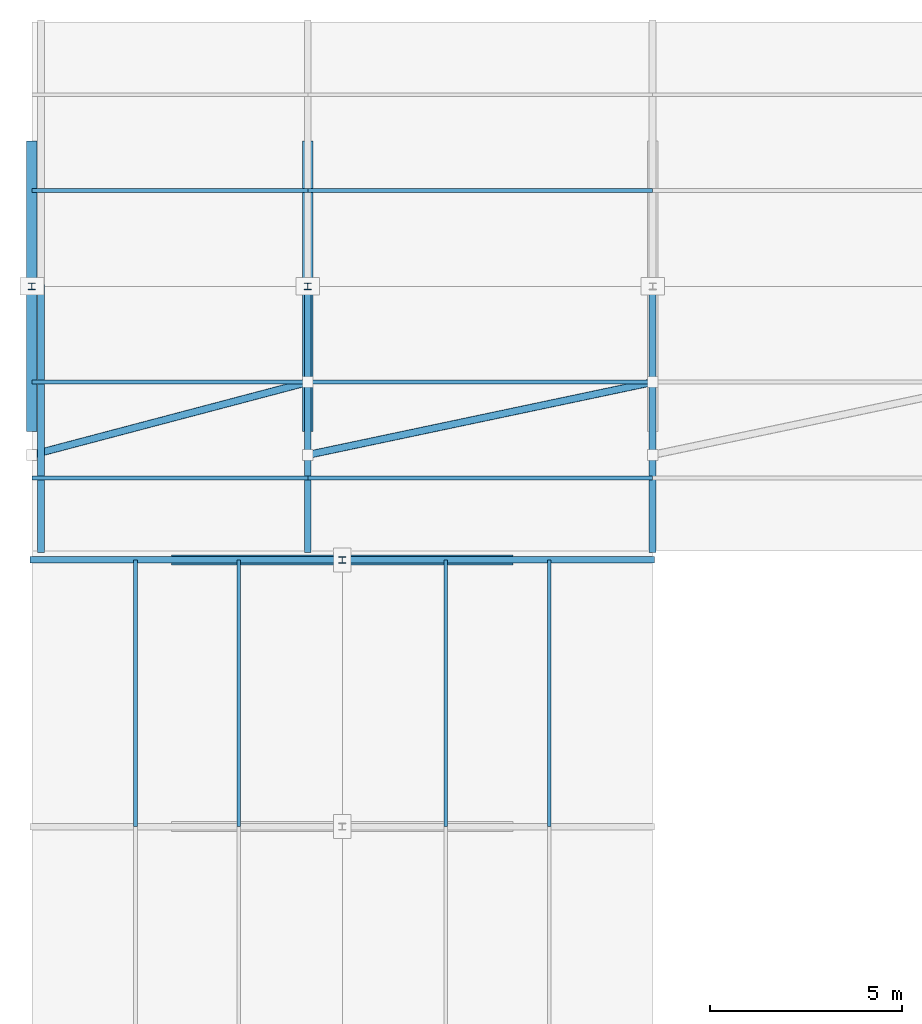
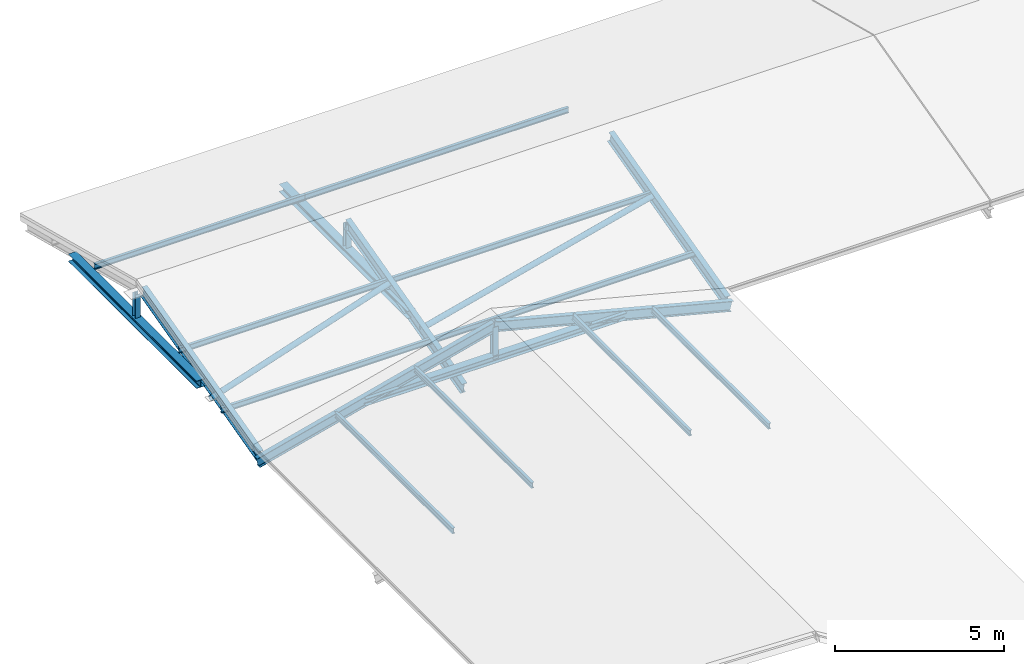
# One storey, part 12 of 31: 23 members.
"""IFC4 building model written with IfcOpenShell, lengths in metres."""

from ifc_helpers import new_model, si_unit, direction, frame, origin, origin_2d, place, context, subcontext, project, spatial, hollow_circle, i_section, extrude, material, material_profile, profile_set, type_object, element, save


model = new_model("IFC4")

# Units and contexts
model_context = context("Model", 3, precision=1e-05, world=origin(), true_north=direction((0.0, 1.0)))
body_context = subcontext(model_context, "Body", "Model", "MODEL_VIEW")
ifc_project = project(units=[si_unit("LENGTHUNIT", "METRE"), si_unit("AREAUNIT", "SQUARE_METRE"), si_unit("VOLUMEUNIT", "CUBIC_METRE"), si_unit("PLANEANGLEUNIT", "RADIAN"), si_unit("MASSUNIT", "GRAM", prefix="KILO")], contexts=[model_context])

# Site, building, storey
site_placement = place(None, origin())
site = spatial("IfcSite", under=ifc_project, at=site_placement, CompositionType="ELEMENT")
building_placement = place(site_placement, origin())
building = spatial("IfcBuilding", under=site, at=building_placement, Name="Clarverna Civic Hall", CompositionType="ELEMENT")
storey_placement = place(building_placement, frame((0.0, 0.0, 31.199951171875)))
storey = spatial("IfcBuildingStorey", under=building, at=storey_placement, Name="RF", CompositionType="ELEMENT", Elevation=31.199951171875)

# Members
ifc_material = material(Name="Steel S355", Category="steel")
ifc_material_profile_1 = material_profile(ifc_material, hollow_circle(Radius=0.096923828125, WallThickness=0.010009765625, at=origin_2d()), Name="CHS 193.7x10.0")
ifc_profile_set_1 = profile_set([ifc_material_profile_1], Name="Steel S355")
member_type_1 = type_object("IfcMemberType", Name="BRR-1", PredefinedType="BRACE", material=ifc_profile_set_1)
member_1_placement = place(storey_placement, frame((0.0, 104.699951171875, -10.50341796875), z_axis=(0.964796135016, 0.254620335656, 0.065855163263), x_axis=(-0.255174269866, 0.966895078071, 0.0)))
element("IfcMember", 1, at=member_1_placement, inside=storey, type_object=member_type_1, Name="BRR-1-001", PredefinedType="BRACE", context=body_context, shape_type="SweptSolid", body=[
    extrude(hollow_circle(Radius=0.096923828125, WallThickness=0.010009765625, at=origin_2d()), origin(), (0.0, 0.0, 1.0), 7.462646484375),
])
member_2_placement = place(storey_placement, frame((7.199951171875, 104.699951171875, -10.50341796875), z_axis=(0.977037540615, 0.2062793831, 0.053352228984), x_axis=(-0.206573594386, 0.978431065585, 0.0)))
element("IfcMember", 2, at=member_2_placement, inside=storey, type_object=member_type_1, Name="BRR-1-002", PredefinedType="BRACE", context=body_context, shape_type="SweptSolid", body=[
    extrude(hollow_circle(Radius=0.096923828125, WallThickness=0.010009765625, at=origin_2d()), origin(), (0.0, 0.0, 1.0), 9.21142578125),
])
ifc_material_profile_2 = material_profile(ifc_material, i_section(OverallWidth=0.280029296875, OverallDepth=0.27001953125, WebThickness=0.008056640625, FlangeThickness=0.012939453125, FilletRadius=0.02392578125, at=origin_2d()), Name="HEA 280")
ifc_profile_set_2 = profile_set([ifc_material_profile_2], Name="Steel S355")
member_type_2 = type_object("IfcMemberType", Name="CH-01", PredefinedType="CHORD", material=ifc_profile_set_2)
for number, where, z_axis, x_axis, name in (
    (3, (0.0, 105.304931640625, -10.346923828125), (0.0, 1.0, 0.0), (-1.0, 0.0, 0.0), "CH-01-001"),
    (4, (7.199951171875, 105.304931640625, -10.346923828125), (0.0, 1.0, 0.0), (-1.0, 0.0, 0.0), "CH-01-002"),
):
    element("IfcMember", number, at=place(storey_placement, frame(where, z_axis=z_axis, x_axis=x_axis)), inside=storey, type_object=member_type_2, Name=name, PredefinedType="CHORD", context=body_context, shape_type="SweptSolid", body=[
        extrude(i_section(OverallWidth=0.280029296875, OverallDepth=0.27001953125, WebThickness=0.008056640625, FlangeThickness=0.012939453125, FilletRadius=0.02392578125, at=origin_2d()), origin(), (0.0, 0.0, 1.0), 7.590087890625),
    ])
ifc_material_profile_3 = material_profile(ifc_material, i_section(OverallWidth=0.260009765625, OverallDepth=0.25, WebThickness=0.007568359375, FlangeThickness=0.012451171875, FilletRadius=0.02392578125, at=origin_2d()), Name="HEA 260")
ifc_profile_set_3 = profile_set([ifc_material_profile_3], Name="Steel S355")
member_type_3 = type_object("IfcMemberType", Name="CH-02", PredefinedType="CHORD", material=ifc_profile_set_3)
member_3_placement = place(storey_placement, frame((3.64501953125, 101.9599609375, -10.207275390625), z_axis=(1.0, 0.0, 0.0), x_axis=(0.0, 1.0, 0.0)))
element("IfcMember", 5, at=member_3_placement, inside=storey, type_object=member_type_3, Name="CH-02-006", PredefinedType="CHORD", context=body_context, shape_type="SweptSolid", body=[
    extrude(i_section(OverallWidth=0.260009765625, OverallDepth=0.25, WebThickness=0.007568359375, FlangeThickness=0.012451171875, FilletRadius=0.02392578125, at=origin_2d()), origin(), (0.0, 0.0, 1.0), 8.909912109375),
])
ifc_material_profile_4 = material_profile(ifc_material, i_section(OverallWidth=0.179931640625, OverallDepth=0.1708984375, WebThickness=0.006103515625, FlangeThickness=0.009521484375, FilletRadius=0.014892578125, at=origin_2d()), Name="HEA 180")
ifc_profile_set_4 = profile_set([ifc_material_profile_4], Name="Steel S355")
member_type_4 = type_object("IfcMemberType", Name="CH-04", PredefinedType="CHORD", material=ifc_profile_set_4)
for number, where, z_axis, x_axis, name in (
    (6, (0.0, 109.10009765625, -10.346923828125), (0.0, 0.0, 1.0), (1.0, 0.0, 0.0), "CH-04-085"),
    (7, (7.199951171875, 109.10009765625, -10.346923828125), (0.0, 0.0, 1.0), (1.0, 0.0, 0.0), "CH-04-086"),
):
    element("IfcMember", number, at=place(storey_placement, frame(where, z_axis=z_axis, x_axis=x_axis)), inside=storey, type_object=member_type_4, Name=name, PredefinedType="CHORD", context=body_context, shape_type="SweptSolid", body=[
        extrude(i_section(OverallWidth=0.179931640625, OverallDepth=0.1708984375, WebThickness=0.006103515625, FlangeThickness=0.009521484375, FilletRadius=0.014892578125, at=origin_2d()), origin(), (0.0, 0.0, 1.0), 0.9814453125),
    ])
member_4_placement = place(storey_placement, frame((8.10009765625, 101.9599609375, -10.207275390625), z_axis=(0.0, 0.0, 1.0), x_axis=(1.0, 0.0, 0.0)))
element("IfcMember", 8, at=member_4_placement, inside=storey, type_object=member_type_4, Name="CH-04-098", PredefinedType="CHORD", context=body_context, shape_type="SweptSolid", body=[
    extrude(i_section(OverallWidth=0.179931640625, OverallDepth=0.1708984375, WebThickness=0.006103515625, FlangeThickness=0.009521484375, FilletRadius=0.014892578125, at=origin_2d()), origin(), (0.0, 0.0, 1.0), 1.152099609375),
])
ifc_material_profile_5 = material_profile(ifc_material, i_section(OverallWidth=0.10009765625, OverallDepth=0.199951171875, WebThickness=0.005615234375, FlangeThickness=0.008544921875, FilletRadius=0.011962890625, at=origin_2d()), Name="IPE 200")
ifc_profile_set_5 = profile_set([ifc_material_profile_5], Name="Steel S355")
member_type_5 = type_object("IfcMemberType", Name="PU-RF1", PredefinedType="PURLIN", material=ifc_profile_set_5)
member_5_placement = place(storey_placement, frame((0.0, 104.10009765625, -10.568603515625), z_axis=(1.0, 0.0, 0.0), x_axis=(0.0, 1.0, 0.0)))
element("IfcMember", 9, at=member_5_placement, inside=storey, type_object=member_type_5, Name="PU-RF1-001", PredefinedType="PURLIN", context=body_context, shape_type="SweptSolid", body=[
    extrude(i_section(OverallWidth=0.10009765625, OverallDepth=0.199951171875, WebThickness=0.005615234375, FlangeThickness=0.008544921875, FilletRadius=0.011962890625, at=origin_2d()), origin(), (0.0, 0.0, 1.0), 7.199951171875),
])
member_6_placement = place(storey_placement, frame((7.199951171875, 104.10009765625, -10.568603515625), z_axis=(1.0, 0.0, 0.0), x_axis=(0.0, 1.0, 0.0)))
element("IfcMember", 10, at=member_6_placement, inside=storey, type_object=member_type_5, Name="PU-RF1-002", PredefinedType="PURLIN", context=body_context, shape_type="SweptSolid", body=[
    extrude(i_section(OverallWidth=0.10009765625, OverallDepth=0.199951171875, WebThickness=0.005615234375, FlangeThickness=0.008544921875, FilletRadius=0.011962890625, at=origin_2d()), origin(), (0.0, 0.0, 1.0), 9.0),
])
member_7_placement = place(storey_placement, frame((0.0, 106.60009765625, -9.922119140625), z_axis=(1.0, 0.0, 0.0), x_axis=(0.0, 1.0, 0.0)))
element("IfcMember", 11, at=member_7_placement, inside=storey, type_object=member_type_5, Name="PU-RF1-009", PredefinedType="PURLIN", context=body_context, shape_type="SweptSolid", body=[
    extrude(i_section(OverallWidth=0.10009765625, OverallDepth=0.199951171875, WebThickness=0.005615234375, FlangeThickness=0.008544921875, FilletRadius=0.011962890625, at=origin_2d()), origin(), (0.0, 0.0, 1.0), 7.199951171875),
])
member_8_placement = place(storey_placement, frame((7.199951171875, 106.60009765625, -9.922119140625), z_axis=(1.0, 0.0, 0.0), x_axis=(0.0, 1.0, 0.0)))
element("IfcMember", 12, at=member_8_placement, inside=storey, type_object=member_type_5, Name="PU-RF1-010", PredefinedType="PURLIN", context=body_context, shape_type="SweptSolid", body=[
    extrude(i_section(OverallWidth=0.10009765625, OverallDepth=0.199951171875, WebThickness=0.005615234375, FlangeThickness=0.008544921875, FilletRadius=0.011962890625, at=origin_2d()), origin(), (0.0, 0.0, 1.0), 9.0),
])
member_9_placement = place(storey_placement, frame((0.0, 111.60009765625, -9.922119140625), z_axis=(1.0, 0.0, 0.0), x_axis=(0.0, 1.0, 0.0)))
element("IfcMember", 13, at=member_9_placement, inside=storey, type_object=member_type_5, Name="PU-RF1-017", PredefinedType="PURLIN", context=body_context, shape_type="SweptSolid", body=[
    extrude(i_section(OverallWidth=0.10009765625, OverallDepth=0.199951171875, WebThickness=0.005615234375, FlangeThickness=0.008544921875, FilletRadius=0.011962890625, at=origin_2d()), origin(), (0.0, 0.0, 1.0), 7.199951171875),
])
member_10_placement = place(storey_placement, frame((7.199951171875, 111.60009765625, -9.922119140625), z_axis=(1.0, 0.0, 0.0), x_axis=(0.0, 1.0, 0.0)))
element("IfcMember", 14, at=member_10_placement, inside=storey, type_object=member_type_5, Name="PU-RF1-018", PredefinedType="PURLIN", context=body_context, shape_type="SweptSolid", body=[
    extrude(i_section(OverallWidth=0.10009765625, OverallDepth=0.199951171875, WebThickness=0.005615234375, FlangeThickness=0.008544921875, FilletRadius=0.011962890625, at=origin_2d()), origin(), (0.0, 0.0, 1.0), 9.0),
])
for number, where, z_axis, x_axis, name in (
    (15, (2.699951171875, 95.0, -10.361572265625), (0.0, 1.0, 0.0), (-1.0, 0.0, 0.0), "PU-RF1-037"),
    (16, (5.39990234375, 95.0, -9.663330078125), (0.0, 1.0, 0.0), (-1.0, 0.0, 0.0), "PU-RF1-042"),
    (17, (10.800048828125, 95.0, -9.663330078125), (0.0, 1.0, 0.0), (-1.0, 0.0, 0.0), "PU-RF1-047"),
    (18, (13.5, 95.0, -10.361572265625), (0.0, 1.0, 0.0), (-1.0, 0.0, 0.0), "PU-RF1-052"),
):
    element("IfcMember", number, at=place(storey_placement, frame(where, z_axis=z_axis, x_axis=x_axis)), inside=storey, type_object=member_type_5, Name=name, PredefinedType="PURLIN", context=body_context, shape_type="SweptSolid", body=[
        extrude(i_section(OverallWidth=0.10009765625, OverallDepth=0.199951171875, WebThickness=0.005615234375, FlangeThickness=0.008544921875, FilletRadius=0.011962890625, at=origin_2d()), origin(), (0.0, 0.0, 1.0), 6.9599609375),
    ])
ifc_material_profile_6 = material_profile(ifc_material, i_section(OverallWidth=0.179931640625, OverallDepth=0.39990234375, WebThickness=0.008544921875, FlangeThickness=0.013427734375, FilletRadius=0.02099609375, at=origin_2d()), Name="IPE 400")
ifc_profile_set_6 = profile_set([ifc_material_profile_6], Name="Steel S355")
member_type_6 = type_object("IfcMemberType", Name="RF-01", PredefinedType="RAFTER", material=ifc_profile_set_6)
for number, where, z_axis, x_axis, name in (
    (19, (0.239990234375, 102.199951171875, -11.14990234375), (0.0, 0.968150204364, 0.250370089647), (-1.0, 0.0, 0.0), "RF-01-001"),
    (20, (7.199951171875, 102.199951171875, -11.14990234375), (0.0, 0.968150204364, 0.250370089647), (-1.0, 0.0, 0.0), "RF-01-003"),
    (21, (16.199951171875, 102.199951171875, -11.14990234375), (0.0, 0.968150204364, 0.250370089647), (-1.0, 0.0, 0.0), "RF-01-005"),
):
    element("IfcMember", number, at=place(storey_placement, frame(where, z_axis=z_axis, x_axis=x_axis)), inside=storey, type_object=member_type_6, Name=name, PredefinedType="RAFTER", context=body_context, shape_type="SweptSolid", body=[
        extrude(i_section(OverallWidth=0.179931640625, OverallDepth=0.39990234375, WebThickness=0.008544921875, FlangeThickness=0.013427734375, FilletRadius=0.02099609375, at=origin_2d()), origin(), (0.0, 0.0, 1.0), 7.127197265625),
    ])
ifc_material_profile_7 = material_profile(ifc_material, i_section(OverallWidth=0.169921875, OverallDepth=0.360107421875, WebThickness=0.008056640625, FlangeThickness=0.0126953125, FilletRadius=0.01806640625, at=origin_2d()), Name="IPE 360")
ifc_profile_set_7 = profile_set([ifc_material_profile_7], Name="Steel S355")
member_type_7 = type_object("IfcMemberType", Name="RF-02", PredefinedType="RAFTER", material=ifc_profile_set_7)
member_11_placement = place(storey_placement, frame((0.0, 101.9599609375, -11.14990234375), z_axis=(0.96815057025, 0.0, 0.250368674807), x_axis=(0.0, 1.0, 0.0)))
element("IfcMember", 22, at=member_11_placement, inside=storey, type_object=member_type_7, Name="RF-02-011", PredefinedType="RAFTER", context=body_context, shape_type="SweptSolid", body=[
    extrude(i_section(OverallWidth=0.169921875, OverallDepth=0.360107421875, WebThickness=0.008056640625, FlangeThickness=0.0126953125, FilletRadius=0.01806640625, at=origin_2d()), origin(), (0.0, 0.0, 1.0), 8.366455078125),
])
member_12_placement = place(storey_placement, frame((16.199951171875, 101.9599609375, -11.14990234375), z_axis=(-0.968148741008, 0.0, 0.250375748195), x_axis=(0.0, -1.0, 0.0)))
element("IfcMember", 23, at=member_12_placement, inside=storey, type_object=member_type_7, Name="RF-02-012", PredefinedType="RAFTER", context=body_context, shape_type="SweptSolid", body=[
    extrude(i_section(OverallWidth=0.169921875, OverallDepth=0.360107421875, WebThickness=0.008056640625, FlangeThickness=0.0126953125, FilletRadius=0.01806640625, at=origin_2d()), origin(), (0.0, 0.0, 1.0), 8.3662109375),
])

save(model, "model.ifc")
